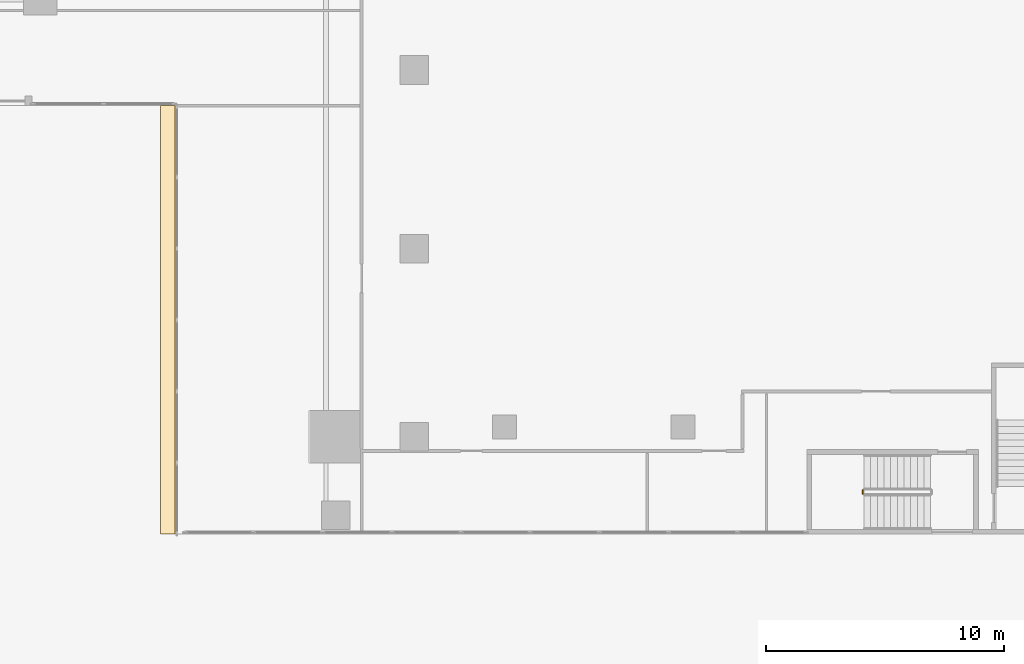
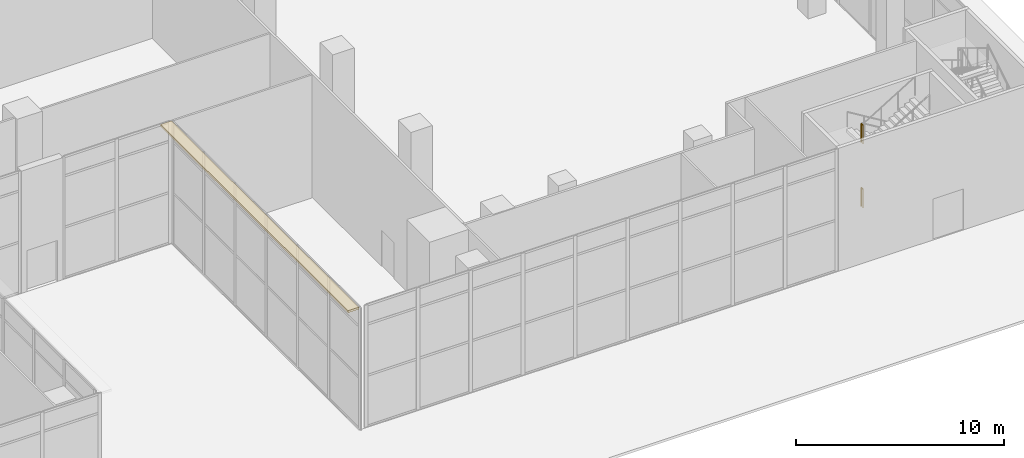
# One storey, part 48 of 52: 2 railings, 1 covering.
"""IFC4 building model written with IfcOpenShell, lengths in metres."""

import ifcopenshell
import ifcopenshell.guid

model = None  # the IFC model being written
_history = None  # IfcOwnerHistory: only IFC2X3 demands one
_inside = {}  # id of a spatial element -> (the spatial element, [elements in it])
_under = {}  # id of a project, library or spatial element -> (it, [spatial elements below it])
_declared = {}  # id of a project -> (the project, [libraries it declares])
_typed = {}  # id of a type object -> (the type object, [elements of that type])
_made_of = {}  # id of a material, layer set ... -> (it, [elements and type objects made of it])


def new_model(schema):
    """Start an empty IFC model of exactly this schema.

    Asked for "IFC4X3", IfcOpenShell would pick the latest addendum, in which some entities
    have other attributes; the version numbers below select the first issue.
    IFC2X3 requires an IfcOwnerHistory on every rooted entity: one is made here for all.
    """
    global model, _history
    if schema == "IFC4X3":
        model = ifcopenshell.file(schema_version=(4, 3, 0, 0))
    else:
        model = ifcopenshell.file(schema=schema)
    _inside.clear()
    _under.clear()
    _declared.clear()
    _typed.clear()
    _made_of.clear()
    _history = None
    if model.schema == "IFC2X3":
        org = make("IfcOrganization", Name="unknown")
        user = make(
            "IfcPersonAndOrganization",
            ThePerson=make("IfcPerson", FamilyName="unknown"),
            TheOrganization=org,
        )
        app = make(
            "IfcApplication",
            ApplicationDeveloper=org,
            Version="unknown",
            ApplicationFullName="unknown",
            ApplicationIdentifier="unknown",
        )
        _history = make(
            "IfcOwnerHistory",
            OwningUser=user,
            OwningApplication=app,
            ChangeAction="ADDED",
            CreationDate=0,
        )
    return model


def make(cls, **values):
    """One entity of the class cls with the attributes given. An attribute that is None is left unset."""
    return model.create_entity(
        cls, **{name: value for name, value in values.items() if value is not None}
    )


def rooted(cls, **values):
    """An entity with a GlobalId (a new one), such as an element, a storey or a relation."""
    return make(cls, GlobalId=ifcopenshell.guid.new(), OwnerHistory=_history, **values)


def si_unit(unit_type, name, prefix=None):
    """IfcSIUnit, for example si_unit("LENGTHUNIT", "METRE", prefix="MILLI")."""
    return make("IfcSIUnit", UnitType=unit_type, Prefix=prefix, Name=name)


def assignment(units):
    """IfcUnitAssignment: the units of a project."""
    return None if units is None else make("IfcUnitAssignment", Units=units)


def point(xyz):
    """IfcCartesianPoint."""
    return None if xyz is None else make("IfcCartesianPoint", Coordinates=xyz)


def direction(xyz):
    """IfcDirection."""
    return None if xyz is None else make("IfcDirection", DirectionRatios=xyz)


def frame(location, z_axis=None, x_axis=None):
    """IfcAxis2Placement3D, a coordinate frame: its origin and axes. An axis left out is left unset."""
    return make(
        "IfcAxis2Placement3D",
        Location=point(location),
        Axis=direction(z_axis),
        RefDirection=direction(x_axis),
    )


def frame_2d(location, x_axis=None):
    """IfcAxis2Placement2D, a coordinate frame in the plane: its origin and x axis."""
    return make(
        "IfcAxis2Placement2D", Location=point(location), RefDirection=direction(x_axis)
    )


def origin():
    """The frame at (0, 0, 0) with its axes left unset."""
    return frame((0.0, 0.0, 0.0))


def origin_2d():
    """The frame at (0, 0) in the plane with its x axis left unset."""
    return frame_2d((0.0, 0.0))


def place(relative_to, where):
    """IfcLocalPlacement: puts the frame where relative to a parent placement (None: the world)."""
    return make(
        "IfcLocalPlacement", PlacementRelTo=relative_to, RelativePlacement=where
    )


def context(
    kind, dimensions, precision=None, world=None, true_north=None, identifier=None
):
    """IfcGeometricRepresentationContext, for example the 3D "Model" context."""
    return make(
        "IfcGeometricRepresentationContext",
        ContextIdentifier=identifier,
        ContextType=kind,
        CoordinateSpaceDimension=dimensions,
        Precision=precision,
        WorldCoordinateSystem=world,
        TrueNorth=true_north,
    )


def subcontext(parent, identifier, kind, view, scale=None):
    """IfcGeometricRepresentationSubContext, for example "Body" below "Model"."""
    return make(
        "IfcGeometricRepresentationSubContext",
        ContextIdentifier=identifier,
        ContextType=kind,
        ParentContext=parent,
        TargetScale=scale,
        TargetView=view,
    )


def project(units=None, contexts=None):
    """IfcProject with its units and contexts."""
    return rooted(
        "IfcProject",
        Name="project",
        RepresentationContexts=contexts,
        UnitsInContext=assignment(units),
    )


def spatial(cls, under=None, at=None, **own):
    """A site, building, storey or space (cls), placed at a placement, below another one or the project."""
    s = rooted(cls, ObjectPlacement=at, **own)
    if under is not None:
        _under.setdefault(under.id(), (under, []))[1].append(s)
    return s


def polyline(points):
    """IfcPolyline through the points."""
    return make("IfcPolyline", Points=[point(p) for p in points])


def profile(cls, at=None, kind="AREA", **sizes):
    """A parametric profile (cls). Its sizes go by their IFC names, for example OverallWidth=200.0."""
    return make(cls, ProfileType=kind, Position=at, **sizes)


def circle(**sizes):
    """IfcCircleProfileDef."""
    return profile("IfcCircleProfileDef", **sizes)


def outline(outer, holes=None, kind="AREA"):
    """IfcArbitraryClosedProfileDef: a profile drawn as a closed curve; with holes, ...WithVoids."""
    if holes is None:
        return make("IfcArbitraryClosedProfileDef", ProfileType=kind, OuterCurve=outer)
    return make(
        "IfcArbitraryProfileDefWithVoids",
        ProfileType=kind,
        OuterCurve=outer,
        InnerCurves=holes,
    )


def extrude(swept, where, along, depth):
    """IfcExtrudedAreaSolid: the profile swept, set in the frame where, extruded along a direction by depth."""
    return make(
        "IfcExtrudedAreaSolid",
        SweptArea=swept,
        Position=where,
        ExtrudedDirection=direction(along),
        Depth=depth,
    )


def shape(context_of_items, identifier, shape_type, items):
    """IfcShapeRepresentation: the items that make up one representation, for example the "Body"."""
    return make(
        "IfcShapeRepresentation",
        ContextOfItems=context_of_items,
        RepresentationIdentifier=identifier,
        RepresentationType=shape_type,
        Items=items,
    )


def source(mapping_origin, context_of_items, identifier, shape_type, items):
    """IfcRepresentationMap: a shape defined once, which mapped items show again and again."""
    return make(
        "IfcRepresentationMap",
        MappingOrigin=mapping_origin,
        MappedRepresentation=shape(context_of_items, identifier, shape_type, items),
    )


def transform(
    local_origin,
    x_axis=None,
    y_axis=None,
    z_axis=None,
    scale=None,
    scale2=None,
    scale3=None,
    uniform=True,
):
    """IfcCartesianTransformationOperator3D, or its non-uniform kind. x_axis, y_axis, z_axis: its Axis1, 2, 3."""
    if uniform:
        return make(
            "IfcCartesianTransformationOperator3D",
            Axis1=direction(x_axis),
            Axis2=direction(y_axis),
            LocalOrigin=point(local_origin),
            Scale=scale,
            Axis3=direction(z_axis),
        )
    return make(
        "IfcCartesianTransformationOperator3DnonUniform",
        Axis1=direction(x_axis),
        Axis2=direction(y_axis),
        LocalOrigin=point(local_origin),
        Scale=scale,
        Axis3=direction(z_axis),
        Scale2=scale2,
        Scale3=scale3,
    )


def mapped(mapping_source, mapping_target):
    """IfcMappedItem: shows the shape of a source again, moved by a transform."""
    return make(
        "IfcMappedItem", MappingSource=mapping_source, MappingTarget=mapping_target
    )


def material(Name=None, Category=None):
    """IfcMaterial."""
    return make("IfcMaterial", Name=Name, Category=Category)


def layer(
    of_material, thickness, ventilated=None, Name=None, Category=None, Priority=None
):
    """IfcMaterialLayer: one layer of a wall or slab, of a material (None: an air gap)."""
    return make(
        "IfcMaterialLayer",
        Material=of_material,
        LayerThickness=thickness,
        IsVentilated=ventilated,
        Name=Name,
        Category=Category,
        Priority=Priority,
    )


def layer_set(layers, Name=None):
    """IfcMaterialLayerSet."""
    return make("IfcMaterialLayerSet", MaterialLayers=layers, LayerSetName=Name)


def made_of(thing, what):
    """Note that an element or type object is made of a material, layer set ...; save() writes the relation."""
    if what is not None:
        _made_of.setdefault(what.id(), (what, []))[1].append(thing)
    return thing


def type_object(cls, material=None, **own):
    """A type object (cls), such as IfcWallType, which elements share."""
    return made_of(rooted(cls, **own), material)


def element(
    cls,
    number,
    at=None,
    inside=None,
    cuts=None,
    type_object=None,
    material=None,
    context=None,
    identifier="Body",
    shape_type=None,
    held_by="IfcProductDefinitionShape",
    body=None,
    shapes=None,
    **own,
):
    """One element of the class cls, such as IfcWall. Its Tag is "e" and its number.

    at: its placement. inside: the storey or other place that contains it. cuts: it is an
    opening in that element (IfcRelVoidsElement). A single representation is given by context,
    identifier, shape_type and body (its items); several are given by shapes. held_by: the class
    of the entity that holds the representations. save() writes the other relations.
    """
    e = rooted(cls, Tag="e%d" % number, ObjectPlacement=at, **own)
    if body is not None:
        shapes = [shape(context, identifier, shape_type, body)]
    if shapes is not None:
        e.Representation = make(held_by, Representations=shapes)
    if inside is not None:
        _inside.setdefault(inside.id(), (inside, []))[1].append(e)
    if cuts is not None:
        rooted(
            "IfcRelVoidsElement", RelatingBuildingElement=cuts, RelatedOpeningElement=e
        )
    if type_object is not None:
        _typed.setdefault(type_object.id(), (type_object, []))[1].append(e)
    return made_of(e, material)


def aggregate(whole, parts):
    """IfcRelAggregates: a whole, such as a stair, and the parts it consists of."""
    return rooted("IfcRelAggregates", RelatingObject=whole, RelatedObjects=parts)


def save(model, path):
    """Write the relations noted so far, then the file.

    IfcRelAggregates (storeys below a building ...), IfcRelContainedInSpatialStructure (elements
    in a storey), IfcRelDefinesByType, IfcRelAssociatesMaterial and IfcRelDeclares: one each for
    every whole, place, type object, material and project.
    """
    for whole, parts in _under.values():
        aggregate(whole, parts)
    for where, things in _inside.values():
        rooted(
            "IfcRelContainedInSpatialStructure",
            RelatedElements=things,
            RelatingStructure=where,
        )
    for kind, things in _typed.values():
        rooted("IfcRelDefinesByType", RelatedObjects=things, RelatingType=kind)
    for what, things in _made_of.values():
        rooted("IfcRelAssociatesMaterial", RelatedObjects=things, RelatingMaterial=what)
    for by, libraries in _declared.values():
        rooted("IfcRelDeclares", RelatingContext=by, RelatedDefinitions=libraries)
    model.write(path)


model = new_model("IFC4")

# Units and contexts
model_context = context("Model", 3, precision=1e-05, world=origin(), true_north=direction((0.0, 1.0)))
body_context = subcontext(model_context, "Body", "Model", "MODEL_VIEW")
ifc_project = project(units=[si_unit("LENGTHUNIT", "METRE"), si_unit("AREAUNIT", "SQUARE_METRE"), si_unit("VOLUMEUNIT", "CUBIC_METRE"), si_unit("PLANEANGLEUNIT", "RADIAN"), si_unit("MASSUNIT", "GRAM", prefix="KILO")], contexts=[model_context])

# Site, building, storey
site_placement = place(None, origin())
site = spatial("IfcSite", under=ifc_project, at=site_placement, CompositionType="ELEMENT")
building_placement = place(site_placement, origin())
building = spatial("IfcBuilding", under=site, at=building_placement, Name="Khomas Fold Tower", CompositionType="ELEMENT")
storey_placement = place(building_placement, origin())
storey = spatial("IfcBuildingStorey", under=building, at=storey_placement, Name="L00", CompositionType="ELEMENT", Elevation=0.0)

# Covering
ifc_material_1 = material(Name="Natural stone cladding", Category="masonry")
ifc_layer = layer(ifc_material_1, 0.1201171875)
ifc_layer_set = layer_set([ifc_layer], Name="Natural stone cladding")
covering_type = type_object("IfcCoveringType", Name="Notch soffit stone GN-SF", PredefinedType="CLADDING", material=ifc_layer_set)
shared_shape_1 = source(origin(), body_context, "Body", "SweptSolid", [
    extrude(outline(polyline([(42.550048828125, 18.0), (42.550048828125, 0.0), (43.14990234375, 0.0), (43.14990234375, 18.0), (42.550048828125, 18.0)])), origin(), (0.0, 0.0, 1.0), 0.119873046875),
])
covering_placement = place(storey_placement, frame((0.0, 0.0, 7.080078125)))
element("IfcCovering", 1, at=covering_placement, inside=storey, type_object=covering_type, Name="Notch soffit stone", PredefinedType="CLADDING", context=body_context, shape_type="MappedRepresentation", body=[
    mapped(shared_shape_1, transform((0.0, 0.0, 0.0))),
])

# Railings
ifc_material_2 = material(Name="Steel balustrade", Category="steel")
railing_type = type_object("IfcRailingType", Name="Stair guard", PredefinedType="GUARDRAIL", material=ifc_material_2)
shared_shape_2 = source(origin(), body_context, "Body", "SweptSolid", [
    extrude(circle(Radius=0.02392578125, at=origin_2d()), frame((0.0, 0.0, 1.076171875), z_axis=(0.0, -1.0, 0.0), x_axis=(1.0, 0.0, 0.0)), (0.0, 0.0, 1.0), 0.150146484375),
    extrude(circle(Radius=0.02099609375, at=origin_2d()), origin(), (0.0, 0.0, 1.0), 1.052001953125),
    extrude(circle(Radius=0.02099609375, at=origin_2d()), frame((0.0, -0.150146484375, 0.0)), (0.0, 0.0, 1.0), 1.052001953125),
])
for number, where, name in (
    (2, (72.050048828125, 1.85009765625, 1.875), "L00 PS3 stair guard 2"),
    (3, (72.050048828125, 1.85009765625, 5.625), "L00 PS3 stair guard 6"),
):
    element("IfcRailing", number, at=place(storey_placement, frame(where)), inside=storey, type_object=railing_type, Name=name, PredefinedType="GUARDRAIL", context=body_context, shape_type="MappedRepresentation", body=[
        mapped(shared_shape_2, transform((0.0, 0.0, 0.0))),
    ])

save(model, "model.ifc")
